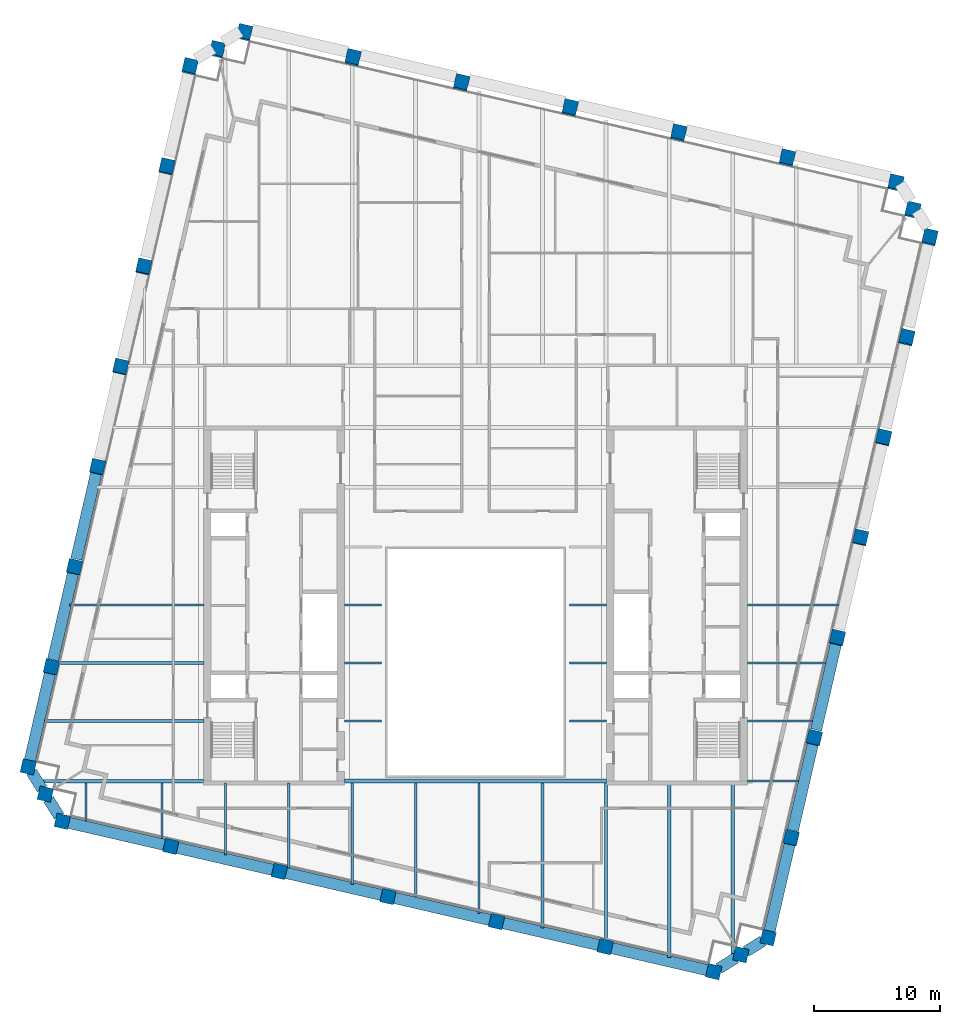
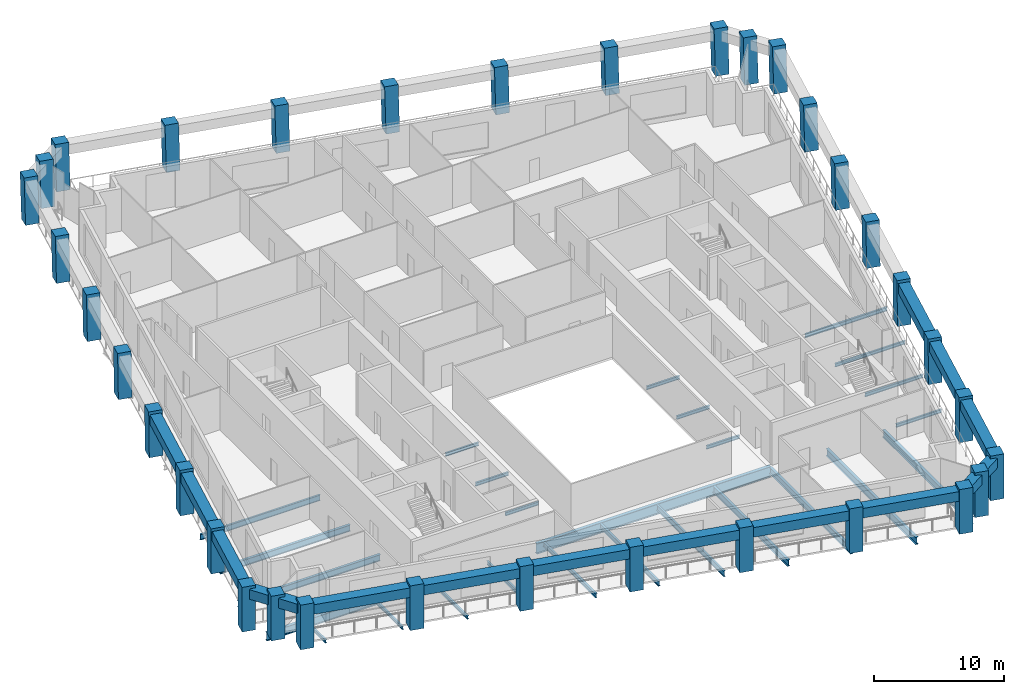
# One storey, part 1 of 10: 42 beams, 34 columns.
"""IFC4 building model written with IfcOpenShell, lengths in metres."""

from ifc_helpers import new_model, si_unit, direction, frame, origin, origin_2d, place, context, subcontext, project, spatial, rectangle, i_section, extrude, material, material_profile, profile_set, type_object, element, save


model = new_model("IFC4")

# Units and contexts
model_context = context("Model", 3, precision=1e-05, world=origin(), true_north=direction((0.0, 1.0)))
body_context = subcontext(model_context, "Body", "Model", "MODEL_VIEW")
ifc_project = project(units=[si_unit("LENGTHUNIT", "METRE"), si_unit("AREAUNIT", "SQUARE_METRE"), si_unit("VOLUMEUNIT", "CUBIC_METRE"), si_unit("PLANEANGLEUNIT", "RADIAN"), si_unit("MASSUNIT", "GRAM", prefix="KILO")], contexts=[model_context])

# Site, building, storey
site_placement = place(None, origin())
site = spatial("IfcSite", under=ifc_project, at=site_placement, CompositionType="ELEMENT")
building_placement = place(site_placement, origin())
building = spatial("IfcBuilding", under=site, at=building_placement, Name="Ogive Exchange Tower", CompositionType="ELEMENT")
storey_placement = place(building_placement, frame((0.0, 0.0, 264.0)))
storey = spatial("IfcBuildingStorey", under=building, at=storey_placement, Name="L57", CompositionType="ELEMENT", Elevation=264.0)

# Columns
ifc_material_1 = material(Name="Precast concrete C70/85 (limestone faced)", Category="masonry")
ifc_material_profile_1 = material_profile(ifc_material_1, rectangle(XDim=1.10009765625, YDim=1.10009765625, at=origin_2d()), Name="1100 x 1100")
ifc_profile_set_1 = profile_set([ifc_material_profile_1], Name="Precast concrete C70/85 (limestone faced)")
column_type = type_object("IfcColumnType", Name="Precast exoskeleton leg 1100 x 1100 C70/85", PredefinedType="COLUMN", material=ifc_profile_set_1)
for number, where, z_axis, x_axis, name in (
    (1, (-32.820556640625, -5.635498046875, 0.0), (0.0, 0.0, 1.0), (0.974370064785, -0.224951054344, 0.0), "Exoskeleton leg 1"),
    (2, (-24.197265625, -7.62646484375, 0.0), (0.0, 0.0, 1.0), (0.974370064785, -0.224951054344, 0.0), "Exoskeleton leg 2"),
    (3, (-15.57421875, -9.6171875, 0.0), (0.0, 0.0, 1.0), (0.974370064785, -0.224951054344, 0.0), "Exoskeleton leg 3"),
    (4, (-6.950927734375, -11.60791015625, 0.0), (0.0, 0.0, 1.0), (0.974370064785, -0.224951054344, 0.0), "Exoskeleton leg 4"),
    (5, (1.672119140625, -13.598876953125, 0.0), (0.0, 0.0, 1.0), (0.974370064785, -0.224951054344, 0.0), "Exoskeleton leg 5"),
    (6, (10.29541015625, -15.589599609375, 0.0), (0.0, 0.0, 1.0), (0.974370064785, -0.224951054344, 0.0), "Exoskeleton leg 6"),
    (7, (18.91845703125, -17.58056640625, 0.0), (0.0, 0.0, 1.0), (0.974370064785, -0.224951054344, 0.0), "Exoskeleton leg 7"),
    (8, (23.236083984375, -14.882568359375, 0.0), (0.0, 0.0, 1.0), (0.974370064785, -0.224951054344, 0.0), "Exoskeleton leg 8"),
):
    element("IfcColumn", number, at=place(storey_placement, frame(where, z_axis=z_axis, x_axis=x_axis)), inside=storey, type_object=column_type, Name=name, PredefinedType="COLUMN", context=body_context, shape_type="SweptSolid", body=[
        extrude(rectangle(XDim=1.10009765625, YDim=1.10009765625, at=origin_2d()), origin(), (0.0, 0.0, 1.0), 4.199951171875),
    ])
column_1_placement = place(storey_placement, frame((25.069580078125, -6.94091796875, 0.0), z_axis=(0.002906224189, 0.012671137464, 0.999915494498), x_axis=(-0.974691740237, 0.22355315143, 0.0)))
element("IfcColumn", 9, at=column_1_placement, inside=storey, type_object=column_type, Name="Exoskeleton leg 9", PredefinedType="COLUMN", context=body_context, shape_type="SweptSolid", body=[
    extrude(rectangle(XDim=1.10009765625, YDim=1.10009765625, at=origin_2d()), origin(), (0.0, 0.0, 1.0), 4.2001953125),
])
column_2_placement = place(storey_placement, frame((26.903076171875, 1.0009765625, 0.0), z_axis=(0.005810983994, 0.025277780376, 0.999663576552), x_axis=(-0.974579651079, 0.224041299099, 0.0)))
element("IfcColumn", 10, at=column_2_placement, inside=storey, type_object=column_type, Name="Exoskeleton leg 10", PredefinedType="COLUMN", context=body_context, shape_type="SweptSolid", body=[
    extrude(rectangle(XDim=1.10009765625, YDim=1.10009765625, at=origin_2d()), origin(), (0.0, 0.0, 1.0), 4.201416015625),
])
column_3_placement = place(storey_placement, frame((28.736572265625, 8.942626953125, 0.0), z_axis=(0.008770884695, 0.037929719907, 0.99924191662), x_axis=(-0.974290512438, 0.225295355862, 0.0)))
element("IfcColumn", 11, at=column_3_placement, inside=storey, type_object=column_type, Name="Exoskeleton leg 11", PredefinedType="COLUMN", context=body_context, shape_type="SweptSolid", body=[
    extrude(rectangle(XDim=1.10009765625, YDim=1.10009765625, at=origin_2d()), origin(), (0.0, 0.0, 1.0), 4.203125),
])
column_4_placement = place(storey_placement, frame((30.570068359375, 16.884521484375, 0.0), z_axis=(0.011668301382, 0.050504588071, 0.998655665045), x_axis=(-0.974334539389, 0.225104876342, 0.0)))
element("IfcColumn", 12, at=column_4_placement, inside=storey, type_object=column_type, Name="Exoskeleton leg 12", PredefinedType="COLUMN", context=body_context, shape_type="SweptSolid", body=[
    extrude(rectangle(XDim=1.10009765625, YDim=1.10009765625, at=origin_2d()), origin(), (0.0, 0.0, 1.0), 4.20556640625),
])
column_5_placement = place(storey_placement, frame((32.403564453125, 24.826171875, 0.0), z_axis=(0.014559841898, 0.063111984005, 0.997900239743), x_axis=(-0.97440628778, 0.224794097641, 0.0)))
element("IfcColumn", 13, at=column_5_placement, inside=storey, type_object=column_type, Name="Exoskeleton leg 13", PredefinedType="COLUMN", context=body_context, shape_type="SweptSolid", body=[
    extrude(rectangle(XDim=1.10009765625, YDim=1.10009765625, at=origin_2d()), origin(), (0.0, 0.0, 1.0), 4.208740234375),
])
column_6_placement = place(storey_placement, frame((34.237060546875, 32.767822265625, 0.0), z_axis=(0.017501948819, 0.075745189095, 0.996973594493), x_axis=(-0.974328337224, 0.225131719848, 0.0)))
element("IfcColumn", 14, at=column_6_placement, inside=storey, type_object=column_type, Name="Exoskeleton leg 14", PredefinedType="COLUMN", context=body_context, shape_type="SweptSolid", body=[
    extrude(rectangle(XDim=1.10009765625, YDim=1.10009765625, at=origin_2d()), origin(), (0.0, 0.0, 1.0), 4.212646484375),
])
for number, where, z_axis, x_axis, name in (
    (15, (36.070556640625, 40.709716796875, 0.0), (0.020377493232, 0.0882252832, 0.995892091129), (-0.97434807649, 0.225046274885, 0.0), "Exoskeleton leg 15"),
    (16, (33.372802734375, 45.027099609375, 0.0), (0.020319522749, 0.088282826757, 0.9958881762), (-0.974520276705, 0.224299421065, 0.0), "Exoskeleton leg 16"),
    (17, (24.74951171875, 47.01806640625, 0.0), (0.020377493232, 0.0882252832, 0.995892091129), (-0.97434807649, 0.225046274885, 0.0), "Exoskeleton leg 17"),
    (18, (16.126220703125, 49.0087890625, 0.0), (0.020377493232, 0.0882252832, 0.995892091129), (-0.97434807649, 0.225046274885, 0.0), "Exoskeleton leg 18"),
    (19, (7.503173828125, 50.999755859375, 0.0), (0.020377597275, 0.088167842757, 0.995897175934), (-0.97431566651, 0.225186549318, 0.0), "Exoskeleton leg 19"),
    (20, (-1.1201171875, 52.990478515625, 0.0), (0.020377493232, 0.0882252832, 0.995892091129), (-0.97434807649, 0.225046274885, 0.0), "Exoskeleton leg 20"),
    (21, (-9.7431640625, 54.981201171875, 0.0), (0.020377493232, 0.0882252832, 0.995892091129), (-0.97434807649, 0.225046274885, 0.0), "Exoskeleton leg 21"),
    (22, (-18.366455078125, 56.97216796875, 0.0), (0.020377493232, 0.0882252832, 0.995892091129), (-0.97434807649, 0.225046274885, 0.0), "Exoskeleton leg 22"),
    (23, (-22.683837890625, 54.274169921875, 0.0), (0.020319626563, 0.088225387128, 0.995893264282), (-0.974488096918, 0.224439187676, 0.0), "Exoskeleton leg 23"),
):
    element("IfcColumn", number, at=place(storey_placement, frame(where, z_axis=z_axis, x_axis=x_axis)), inside=storey, type_object=column_type, Name=name, PredefinedType="COLUMN", context=body_context, shape_type="SweptSolid", body=[
        extrude(rectangle(XDim=1.10009765625, YDim=1.10009765625, at=origin_2d()), origin(), (0.0, 0.0, 1.0), 4.21728515625),
    ])
column_7_placement = place(storey_placement, frame((-24.517333984375, 46.33251953125, 0.0), z_axis=(0.017444089556, 0.075687644385, 0.996978978829), x_axis=(-0.974454034257, 0.224587032398, 0.0)))
element("IfcColumn", 24, at=column_7_placement, inside=storey, type_object=column_type, Name="Exoskeleton leg 24", PredefinedType="COLUMN", context=body_context, shape_type="SweptSolid", body=[
    extrude(rectangle(XDim=1.10009765625, YDim=1.10009765625, at=origin_2d()), origin(), (0.0, 0.0, 1.0), 4.212646484375),
])
column_8_placement = place(storey_placement, frame((-26.350830078125, 38.390625, 0.0), z_axis=(0.014559788571, 0.063169759976, 0.997896584813), x_axis=(-0.97445148511, 0.224598092528, 0.0)))
element("IfcColumn", 25, at=column_8_placement, inside=storey, type_object=column_type, Name="Exoskeleton leg 25", PredefinedType="COLUMN", context=body_context, shape_type="SweptSolid", body=[
    extrude(rectangle(XDim=1.10009765625, YDim=1.10009765625, at=origin_2d()), origin(), (0.0, 0.0, 1.0), 4.208740234375),
])
column_9_placement = place(storey_placement, frame((-28.184326171875, 30.448974609375, 0.0), z_axis=(0.011610223917, 0.050562525159, 0.998653410223), x_axis=(-0.974635787342, 0.223796966095, 0.0)))
element("IfcColumn", 26, at=column_9_placement, inside=storey, type_object=column_type, Name="Exoskeleton leg 26", PredefinedType="COLUMN", context=body_context, shape_type="SweptSolid", body=[
    extrude(rectangle(XDim=1.10009765625, YDim=1.10009765625, at=origin_2d()), origin(), (0.0, 0.0, 1.0), 4.20556640625),
])
column_10_placement = place(storey_placement, frame((-30.017822265625, 22.507080078125, 0.0), z_axis=(0.00871278458, 0.037987740768, 0.999240220836), x_axis=(-0.974691740237, 0.22355315143, 0.0)))
element("IfcColumn", 27, at=column_10_placement, inside=storey, type_object=column_type, Name="Exoskeleton leg 27", PredefinedType="COLUMN", context=body_context, shape_type="SweptSolid", body=[
    extrude(rectangle(XDim=1.10009765625, YDim=1.10009765625, at=origin_2d()), origin(), (0.0, 0.0, 1.0), 4.203125),
])
column_11_placement = place(storey_placement, frame((-31.851318359375, 14.5654296875, 0.0), z_axis=(0.005810975449, 0.025335852957, 0.999662106474), x_axis=(-0.974691740237, 0.22355315143, 0.0)))
element("IfcColumn", 28, at=column_11_placement, inside=storey, type_object=column_type, Name="Exoskeleton leg 28", PredefinedType="COLUMN", context=body_context, shape_type="SweptSolid", body=[
    extrude(rectangle(XDim=1.10009765625, YDim=1.10009765625, at=origin_2d()), origin(), (0.0, 0.0, 1.0), 4.201416015625),
])
column_12_placement = place(storey_placement, frame((-33.684814453125, 6.623779296875, 0.0), z_axis=(0.002906224189, 0.012671137464, 0.999915494498), x_axis=(-0.974691740237, 0.22355315143, 0.0)))
element("IfcColumn", 29, at=column_12_placement, inside=storey, type_object=column_type, Name="Exoskeleton leg 29", PredefinedType="COLUMN", context=body_context, shape_type="SweptSolid", body=[
    extrude(rectangle(XDim=1.10009765625, YDim=1.10009765625, at=origin_2d()), origin(), (0.0, 0.0, 1.0), 4.2001953125),
])
for number, where, z_axis, x_axis, name in (
    (30, (-35.518310546875, -1.318115234375, 0.0), (0.0, 0.0, 1.0), (0.974370064785, -0.224951054344, 0.0), "Exoskeleton leg 30"),
    (31, (21.077392578125, -16.2314453125, 0.0), (0.0, 0.0, 1.0), (0.974370064785, -0.224951054344, 0.0), "Exoskeleton leg 31"),
):
    element("IfcColumn", number, at=place(storey_placement, frame(where, z_axis=z_axis, x_axis=x_axis)), inside=storey, type_object=column_type, Name=name, PredefinedType="COLUMN", context=body_context, shape_type="SweptSolid", body=[
        extrude(rectangle(XDim=1.10009765625, YDim=1.10009765625, at=origin_2d()), origin(), (0.0, 0.0, 1.0), 4.199951171875),
    ])
for number, where, z_axis, x_axis, name in (
    (32, (34.7216796875, 42.868408203125, 0.0), (0.020377493232, 0.0882252832, 0.995892091129), (-0.97434807649, 0.225046274885, 0.0), "Exoskeleton leg 32"),
    (33, (-20.525146484375, 55.623291015625, 0.0), (0.020377597275, 0.088167842757, 0.995897175934), (-0.97431566651, 0.225186549318, 0.0), "Exoskeleton leg 33"),
):
    element("IfcColumn", number, at=place(storey_placement, frame(where, z_axis=z_axis, x_axis=x_axis)), inside=storey, type_object=column_type, Name=name, PredefinedType="COLUMN", context=body_context, shape_type="SweptSolid", body=[
        extrude(rectangle(XDim=1.10009765625, YDim=1.10009765625, at=origin_2d()), origin(), (0.0, 0.0, 1.0), 4.21728515625),
    ])
column_13_placement = place(storey_placement, frame((-34.16943359375, -3.476806640625, 0.0), z_axis=(0.0, 0.0, 1.0), x_axis=(0.974370064785, -0.224951054344, 0.0)))
element("IfcColumn", 34, at=column_13_placement, inside=storey, type_object=column_type, Name="Exoskeleton leg 34", PredefinedType="COLUMN", context=body_context, shape_type="SweptSolid", body=[
    extrude(rectangle(XDim=1.10009765625, YDim=1.10009765625, at=origin_2d()), origin(), (0.0, 0.0, 1.0), 4.199951171875),
])

# Beams
ifc_material_2 = material(Name="Steel ASTM A992 Gr50", Category="steel")
ifc_material_profile_2 = material_profile(ifc_material_2, i_section(OverallWidth=0.1650390625, OverallDepth=0.31005859375, WebThickness=0.005859375, FlangeThickness=0.009765625, at=origin_2d()), Name="W310x38.7")
ifc_profile_set_2 = profile_set([ifc_material_profile_2], Name="Steel ASTM A992 Gr50")
beam_type_1 = type_object("IfcBeamType", Name="Floor beam W310x38.7", PredefinedType="JOIST", material=ifc_profile_set_2)
for number, where, z_axis, x_axis, name in (
    (35, (-10.419921875, 2.3212890625, -0.35498046875), (1.0, 0.0, 0.0), (0.0, 1.0, 0.0), "Floor beam"),
    (36, (7.469970703125, 2.3212890625, -0.35498046875), (1.0, 0.0, 0.0), (0.0, 1.0, 0.0), "Floor beam"),
):
    element("IfcBeam", number, at=place(storey_placement, frame(where, z_axis=z_axis, x_axis=x_axis)), inside=storey, type_object=beam_type_1, Name=name, PredefinedType="JOIST", context=body_context, shape_type="SweptSolid", body=[
        extrude(i_section(OverallWidth=0.1650390625, OverallDepth=0.31005859375, WebThickness=0.005859375, FlangeThickness=0.009765625, at=origin_2d()), origin(), (0.0, 0.0, 1.0), 2.949951171875),
    ])
beam_1_placement = place(storey_placement, frame((21.580078125, 2.3212890625, -0.35498046875), z_axis=(1.0, 0.0, 0.0), x_axis=(0.0, 1.0, 0.0)))
element("IfcBeam", 37, at=beam_1_placement, inside=storey, type_object=beam_type_1, Name="Floor beam", PredefinedType="JOIST", context=body_context, shape_type="SweptSolid", body=[
    extrude(i_section(OverallWidth=0.1650390625, OverallDepth=0.31005859375, WebThickness=0.005859375, FlangeThickness=0.009765625, at=origin_2d()), origin(), (0.0, 0.0, 1.0), 5.166015625),
])
for number, where, z_axis, x_axis, name in (
    (38, (-10.419921875, 6.9326171875, -0.35498046875), (1.0, 0.0, 0.0), (0.0, 1.0, 0.0), "Floor beam"),
    (39, (7.469970703125, 6.9326171875, -0.35498046875), (1.0, 0.0, 0.0), (0.0, 1.0, 0.0), "Floor beam"),
):
    element("IfcBeam", number, at=place(storey_placement, frame(where, z_axis=z_axis, x_axis=x_axis)), inside=storey, type_object=beam_type_1, Name=name, PredefinedType="JOIST", context=body_context, shape_type="SweptSolid", body=[
        extrude(i_section(OverallWidth=0.1650390625, OverallDepth=0.31005859375, WebThickness=0.005859375, FlangeThickness=0.009765625, at=origin_2d()), origin(), (0.0, 0.0, 1.0), 2.949951171875),
    ])
beam_2_placement = place(storey_placement, frame((21.580078125, 6.9326171875, -0.35498046875), z_axis=(1.0, 0.0, 0.0), x_axis=(0.0, 1.0, 0.0)))
element("IfcBeam", 40, at=beam_2_placement, inside=storey, type_object=beam_type_1, Name="Floor beam", PredefinedType="JOIST", context=body_context, shape_type="SweptSolid", body=[
    extrude(i_section(OverallWidth=0.1650390625, OverallDepth=0.31005859375, WebThickness=0.005859375, FlangeThickness=0.009765625, at=origin_2d()), origin(), (0.0, 0.0, 1.0), 6.230712890625),
])
for number, where, z_axis, x_axis, name in (
    (41, (-10.419921875, 11.543701171875, -0.35498046875), (1.0, 0.0, 0.0), (0.0, 1.0, 0.0), "Floor beam"),
    (42, (7.469970703125, 11.543701171875, -0.35498046875), (1.0, 0.0, 0.0), (0.0, 1.0, 0.0), "Floor beam"),
):
    element("IfcBeam", number, at=place(storey_placement, frame(where, z_axis=z_axis, x_axis=x_axis)), inside=storey, type_object=beam_type_1, Name=name, PredefinedType="JOIST", context=body_context, shape_type="SweptSolid", body=[
        extrude(i_section(OverallWidth=0.1650390625, OverallDepth=0.31005859375, WebThickness=0.005859375, FlangeThickness=0.009765625, at=origin_2d()), origin(), (0.0, 0.0, 1.0), 2.949951171875),
    ])
beam_3_placement = place(storey_placement, frame((-30.9423828125, -5.607421875, -0.35498046875), z_axis=(0.0, 1.0, 0.0), x_axis=(-1.0, 0.0, 0.0)))
element("IfcBeam", 43, at=beam_3_placement, inside=storey, type_object=beam_type_1, Name="Floor beam", PredefinedType="JOIST", context=body_context, shape_type="SweptSolid", body=[
    extrude(i_section(OverallWidth=0.1650390625, OverallDepth=0.31005859375, WebThickness=0.005859375, FlangeThickness=0.009765625, at=origin_2d()), origin(), (0.0, 0.0, 1.0), 3.02880859375),
])
beam_4_placement = place(storey_placement, frame((-24.906005859375, -7.0009765625, -0.35498046875), z_axis=(0.0, 1.0, 0.0), x_axis=(-1.0, 0.0, 0.0)))
element("IfcBeam", 44, at=beam_4_placement, inside=storey, type_object=beam_type_1, Name="Floor beam", PredefinedType="JOIST", context=body_context, shape_type="SweptSolid", body=[
    extrude(i_section(OverallWidth=0.1650390625, OverallDepth=0.31005859375, WebThickness=0.005859375, FlangeThickness=0.009765625, at=origin_2d()), origin(), (0.0, 0.0, 1.0), 4.42236328125),
])
beam_5_placement = place(storey_placement, frame((-19.869384765625, -8.313720703125, -0.35498046875), z_axis=(0.0, 1.0, 0.0), x_axis=(-1.0, 0.0, 0.0)))
element("IfcBeam", 45, at=beam_5_placement, inside=storey, type_object=beam_type_1, Name="Floor beam", PredefinedType="JOIST", context=body_context, shape_type="SweptSolid", body=[
    extrude(i_section(OverallWidth=0.1650390625, OverallDepth=0.31005859375, WebThickness=0.005859375, FlangeThickness=0.009765625, at=origin_2d()), origin(), (0.0, 0.0, 1.0), 5.713623046875),
])
ifc_material_profile_3 = material_profile(ifc_material_2, i_section(OverallWidth=0.1708984375, OverallDepth=0.35595703125, WebThickness=0.00732421875, FlangeThickness=0.01171875, at=origin_2d()), Name="W360x51")
ifc_profile_set_3 = profile_set([ifc_material_profile_3], Name="Steel ASTM A992 Gr50")
beam_type_2 = type_object("IfcBeamType", Name="Floor beam W360x51", PredefinedType="JOIST", material=ifc_profile_set_3)
beam_6_placement = place(storey_placement, frame((21.580078125, 11.543701171875, -0.3779296875), z_axis=(1.0, 0.0, 0.0), x_axis=(0.0, 1.0, 0.0)))
element("IfcBeam", 46, at=beam_6_placement, inside=storey, type_object=beam_type_2, Name="Floor beam", PredefinedType="JOIST", context=body_context, shape_type="SweptSolid", body=[
    extrude(i_section(OverallWidth=0.1708984375, OverallDepth=0.35595703125, WebThickness=0.00732421875, FlangeThickness=0.01171875, at=origin_2d()), origin(), (0.0, 0.0, 1.0), 7.295166015625),
])
beam_7_placement = place(storey_placement, frame((-14.8330078125, -9.326416015625, -0.3779296875), z_axis=(0.0, 1.0, 0.0), x_axis=(-1.0, 0.0, 0.0)))
element("IfcBeam", 47, at=beam_7_placement, inside=storey, type_object=beam_type_2, Name="Floor beam", PredefinedType="JOIST", context=body_context, shape_type="SweptSolid", body=[
    extrude(i_section(OverallWidth=0.1708984375, OverallDepth=0.35595703125, WebThickness=0.00732421875, FlangeThickness=0.01171875, at=origin_2d()), origin(), (0.0, 0.0, 1.0), 6.726318359375),
])
ifc_material_profile_4 = material_profile(ifc_material_2, i_section(OverallWidth=0.177978515625, OverallDepth=0.406005859375, WebThickness=0.0078125, FlangeThickness=0.0126953125, at=origin_2d()), Name="W410x60")
ifc_profile_set_4 = profile_set([ifc_material_profile_4], Name="Steel ASTM A992 Gr50")
beam_type_3 = type_object("IfcBeamType", Name="Floor beam W410x60", PredefinedType="JOIST", material=ifc_profile_set_4)
beam_8_placement = place(storey_placement, frame((-9.796630859375, -10.63916015625, -0.403076171875), z_axis=(0.0, 1.0, 0.0), x_axis=(-1.0, 0.0, 0.0)))
element("IfcBeam", 48, at=beam_8_placement, inside=storey, type_object=beam_type_3, Name="Floor beam", PredefinedType="JOIST", context=body_context, shape_type="SweptSolid", body=[
    extrude(i_section(OverallWidth=0.177978515625, OverallDepth=0.406005859375, WebThickness=0.0078125, FlangeThickness=0.0126953125, at=origin_2d()), origin(), (0.0, 0.0, 1.0), 8.044189453125),
])
ifc_material_profile_5 = material_profile(ifc_material_2, i_section(OverallWidth=0.19091796875, OverallDepth=0.45703125, WebThickness=0.009033203125, FlangeThickness=0.014404296875, at=origin_2d()), Name="W460x74")
ifc_profile_set_5 = profile_set([ifc_material_profile_5], Name="Steel ASTM A992 Gr50")
beam_type_4 = type_object("IfcBeamType", Name="Floor beam W460x74", PredefinedType="JOIST", material=ifc_profile_set_5)
beam_9_placement = place(storey_placement, frame((-4.76025390625, -11.652099609375, -0.428466796875), z_axis=(0.0, 1.0, 0.0), x_axis=(-1.0, 0.0, 0.0)))
element("IfcBeam", 49, at=beam_9_placement, inside=storey, type_object=beam_type_4, Name="Floor beam", PredefinedType="JOIST", context=body_context, shape_type="SweptSolid", body=[
    extrude(i_section(OverallWidth=0.19091796875, OverallDepth=0.45703125, WebThickness=0.009033203125, FlangeThickness=0.014404296875, at=origin_2d()), origin(), (0.0, 0.0, 1.0), 9.05712890625),
])
ifc_material_profile_6 = material_profile(ifc_material_2, i_section(OverallWidth=0.1669921875, OverallDepth=0.535888671875, WebThickness=0.01025390625, FlangeThickness=0.0166015625, at=origin_2d()), Name="W530x85")
ifc_profile_set_6 = profile_set([ifc_material_profile_6], Name="Steel ASTM A992 Gr50")
beam_type_5 = type_object("IfcBeamType", Name="Floor beam W530x85", PredefinedType="JOIST", material=ifc_profile_set_6)
beam_10_placement = place(storey_placement, frame((-32.2373046875, 11.543701171875, -0.468017578125), z_axis=(1.0, 0.0, 0.0), x_axis=(0.0, 1.0, 0.0)))
element("IfcBeam", 50, at=beam_10_placement, inside=storey, type_object=beam_type_5, Name="Floor beam", PredefinedType="JOIST", context=body_context, shape_type="SweptSolid", body=[
    extrude(i_section(OverallWidth=0.1669921875, OverallDepth=0.535888671875, WebThickness=0.01025390625, FlangeThickness=0.0166015625, at=origin_2d()), origin(), (0.0, 0.0, 1.0), 10.6572265625),
])
beam_11_placement = place(storey_placement, frame((0.276123046875, -12.964599609375, -0.468017578125), z_axis=(0.0, 1.0, 0.0), x_axis=(-1.0, 0.0, 0.0)))
element("IfcBeam", 51, at=beam_11_placement, inside=storey, type_object=beam_type_5, Name="Floor beam", PredefinedType="JOIST", context=body_context, shape_type="SweptSolid", body=[
    extrude(i_section(OverallWidth=0.1669921875, OverallDepth=0.535888671875, WebThickness=0.01025390625, FlangeThickness=0.0166015625, at=origin_2d()), origin(), (0.0, 0.0, 1.0), 10.36962890625),
])
ifc_material_profile_7 = material_profile(ifc_material_2, i_section(OverallWidth=0.22802734375, OverallDepth=0.60205078125, WebThickness=0.010498046875, FlangeThickness=0.014892578125, at=origin_2d()), Name="W610x101")
ifc_profile_set_7 = profile_set([ifc_material_profile_7], Name="Steel ASTM A992 Gr50")
beam_type_6 = type_object("IfcBeamType", Name="Floor beam W610x101", PredefinedType="JOIST", material=ifc_profile_set_7)
beam_12_placement = place(storey_placement, frame((-34.21630859375, 2.3212890625, -0.5009765625), z_axis=(1.0, 0.0, 0.0), x_axis=(0.0, 1.0, 0.0)))
element("IfcBeam", 52, at=beam_12_placement, inside=storey, type_object=beam_type_6, Name="Floor beam", PredefinedType="JOIST", context=body_context, shape_type="SweptSolid", body=[
    extrude(i_section(OverallWidth=0.22802734375, OverallDepth=0.60205078125, WebThickness=0.010498046875, FlangeThickness=0.014892578125, at=origin_2d()), origin(), (0.0, 0.0, 1.0), 12.63623046875),
])
beam_13_placement = place(storey_placement, frame((-33.15185546875, 6.9326171875, -0.5009765625), z_axis=(1.0, 0.0, 0.0), x_axis=(0.0, 1.0, 0.0)))
element("IfcBeam", 53, at=beam_13_placement, inside=storey, type_object=beam_type_6, Name="Floor beam", PredefinedType="JOIST", context=body_context, shape_type="SweptSolid", body=[
    extrude(i_section(OverallWidth=0.22802734375, OverallDepth=0.60205078125, WebThickness=0.010498046875, FlangeThickness=0.014892578125, at=origin_2d()), origin(), (0.0, 0.0, 1.0), 11.57177734375),
])
beam_14_placement = place(storey_placement, frame((5.3125, -14.12744140625, -0.5009765625), z_axis=(0.0, 1.0, 0.0), x_axis=(-1.0, 0.0, 0.0)))
element("IfcBeam", 54, at=beam_14_placement, inside=storey, type_object=beam_type_6, Name="Floor beam", PredefinedType="JOIST", context=body_context, shape_type="SweptSolid", body=[
    extrude(i_section(OverallWidth=0.22802734375, OverallDepth=0.60205078125, WebThickness=0.010498046875, FlangeThickness=0.014892578125, at=origin_2d()), origin(), (0.0, 0.0, 1.0), 11.532470703125),
])
beam_15_placement = place(storey_placement, frame((10.348876953125, -15.14013671875, -0.5009765625), z_axis=(0.0, 1.0, 0.0), x_axis=(-1.0, 0.0, 0.0)))
element("IfcBeam", 55, at=beam_15_placement, inside=storey, type_object=beam_type_6, Name="Floor beam", PredefinedType="JOIST", context=body_context, shape_type="SweptSolid", body=[
    extrude(i_section(OverallWidth=0.22802734375, OverallDepth=0.60205078125, WebThickness=0.010498046875, FlangeThickness=0.014892578125, at=origin_2d()), origin(), (0.0, 0.0, 1.0), 12.545166015625),
])
ifc_material_profile_8 = material_profile(ifc_material_2, i_section(OverallWidth=0.25390625, OverallDepth=0.677978515625, WebThickness=0.01171875, FlangeThickness=0.016357421875, at=origin_2d()), Name="W690x125")
ifc_profile_set_8 = profile_set([ifc_material_profile_8], Name="Steel ASTM A992 Gr50")
beam_type_7 = type_object("IfcBeamType", Name="Floor beam W690x125", PredefinedType="JOIST", material=ifc_profile_set_8)
beam_16_placement = place(storey_placement, frame((15.38525390625, -16.452880859375, -0.5390625), z_axis=(0.0, 1.0, 0.0), x_axis=(-1.0, 0.0, 0.0)))
element("IfcBeam", 56, at=beam_16_placement, inside=storey, type_object=beam_type_7, Name="Floor beam", PredefinedType="JOIST", context=body_context, shape_type="SweptSolid", body=[
    extrude(i_section(OverallWidth=0.25390625, OverallDepth=0.677978515625, WebThickness=0.01171875, FlangeThickness=0.016357421875, at=origin_2d()), origin(), (0.0, 0.0, 1.0), 13.852783203125),
])
beam_17_placement = place(storey_placement, frame((20.421630859375, -16.260498046875, -0.5390625), z_axis=(0.0, 1.0, 0.0), x_axis=(-1.0, 0.0, 0.0)))
element("IfcBeam", 57, at=beam_17_placement, inside=storey, type_object=beam_type_7, Name="Floor beam", PredefinedType="JOIST", context=body_context, shape_type="SweptSolid", body=[
    extrude(i_section(OverallWidth=0.25390625, OverallDepth=0.677978515625, WebThickness=0.01171875, FlangeThickness=0.016357421875, at=origin_2d()), origin(), (0.0, 0.0, 1.0), 13.660400390625),
])
ifc_material_profile_9 = material_profile(ifc_material_2, i_section(OverallWidth=0.300048828125, OverallDepth=0.97998046875, WebThickness=0.0166015625, FlangeThickness=0.026123046875, at=origin_2d()), Name="W1000x249")
ifc_profile_set_9 = profile_set([ifc_material_profile_9], Name="Steel ASTM A992 Gr50")
beam_type_8 = type_object("IfcBeamType", Name="Girder W1000x249", PredefinedType="BEAM", material=ifc_profile_set_9)
beam_18_placement = place(storey_placement, frame((-10.419921875, -2.445068359375, -0.68994140625), z_axis=(1.0, 0.0, 0.0), x_axis=(0.0, 1.0, 0.0)))
element("IfcBeam", 58, at=beam_18_placement, inside=storey, type_object=beam_type_8, Name="Header girder", PredefinedType="BEAM", context=body_context, shape_type="SweptSolid", body=[
    extrude(i_section(OverallWidth=0.300048828125, OverallDepth=0.97998046875, WebThickness=0.0166015625, FlangeThickness=0.026123046875, at=origin_2d()), origin(), (0.0, 0.0, 1.0), 20.83984375),
])
ifc_material_profile_10 = material_profile(ifc_material_2, i_section(OverallWidth=0.1650390625, OverallDepth=0.31005859375, WebThickness=0.005859375, FlangeThickness=0.009765625, at=origin_2d()), Name="W310x38.7")
ifc_profile_set_10 = profile_set([ifc_material_profile_10], Name="Steel ASTM A992 Gr50")
beam_type_9 = type_object("IfcBeamType", Name="Girder W310x38.7", PredefinedType="BEAM", material=ifc_profile_set_10)
beam_19_placement = place(storey_placement, frame((21.580078125, -2.445068359375, -0.35498046875), z_axis=(1.0, 0.0, 0.0), x_axis=(0.0, 1.0, 0.0)))
element("IfcBeam", 59, at=beam_19_placement, inside=storey, type_object=beam_type_9, Name="Header girder", PredefinedType="BEAM", context=body_context, shape_type="SweptSolid", body=[
    extrude(i_section(OverallWidth=0.1650390625, OverallDepth=0.31005859375, WebThickness=0.005859375, FlangeThickness=0.009765625, at=origin_2d()), origin(), (0.0, 0.0, 1.0), 4.065673828125),
])
ifc_material_profile_11 = material_profile(ifc_material_2, i_section(OverallWidth=0.26708984375, OverallDepth=0.75390625, WebThickness=0.01318359375, FlangeThickness=0.01708984375, at=origin_2d()), Name="W760x147")
ifc_profile_set_11 = profile_set([ifc_material_profile_11], Name="Steel ASTM A992 Gr50")
beam_type_10 = type_object("IfcBeamType", Name="Girder W760x147", PredefinedType="BEAM", material=ifc_profile_set_11)
beam_20_placement = place(storey_placement, frame((-34.43359375, -2.445068359375, -0.576904296875), z_axis=(1.0, 0.0, 0.0), x_axis=(0.0, 1.0, 0.0)))
element("IfcBeam", 60, at=beam_20_placement, inside=storey, type_object=beam_type_10, Name="Header girder", PredefinedType="BEAM", context=body_context, shape_type="SweptSolid", body=[
    extrude(i_section(OverallWidth=0.26708984375, OverallDepth=0.75390625, WebThickness=0.01318359375, FlangeThickness=0.01708984375, at=origin_2d()), origin(), (0.0, 0.0, 1.0), 12.853515625),
])
ifc_material_profile_12 = material_profile(ifc_material_1, rectangle(XDim=0.89990234375, YDim=0.89990234375, at=origin_2d()), Name="900 x 900")
ifc_profile_set_12 = profile_set([ifc_material_profile_12], Name="Precast concrete C70/85 (limestone faced)")
beam_type_11 = type_object("IfcBeamType", Name="Precast spandrel 900 x 900 C70/85", PredefinedType="SPANDREL", material=ifc_profile_set_12)
for number, where, z_axis, x_axis, name in (
    (61, (-32.30419921875, -5.7548828125, 3.5), (0.974374818602, -0.224930462307, 0.0), (0.224930462307, 0.974374818602, 0.0), "Spandrel 1"),
    (62, (-23.680908203125, -7.74560546875, 3.5), (0.974367949416, -0.224960216819, 0.0), (0.224960216819, 0.974367949416, 0.0), "Spandrel 2"),
    (63, (-15.0576171875, -9.736328125, 3.5), (0.974367949416, -0.224960216819, 0.0), (0.224960216819, 0.974367949416, 0.0), "Spandrel 3"),
    (64, (-6.4345703125, -11.727294921875, 3.5), (0.974374818602, -0.224930462307, 0.0), (0.224930462307, 0.974374818602, 0.0), "Spandrel 4"),
):
    element("IfcBeam", number, at=place(storey_placement, frame(where, z_axis=z_axis, x_axis=x_axis)), inside=storey, type_object=beam_type_11, Name=name, PredefinedType="SPANDREL", context=body_context, shape_type="SweptSolid", body=[
        extrude(rectangle(XDim=0.89990234375, YDim=0.89990234375, at=origin_2d()), origin(), (0.0, 0.0, 1.0), 7.7900390625),
    ])
beam_21_placement = place(storey_placement, frame((2.188720703125, -13.718017578125, 3.5), z_axis=(0.974366363305, -0.224967086616, 0.0), x_axis=(0.224967086616, 0.974366363305, 0.0)))
element("IfcBeam", 65, at=beam_21_placement, inside=storey, type_object=beam_type_11, Name="Spandrel 5", PredefinedType="SPANDREL", context=body_context, shape_type="SweptSolid", body=[
    extrude(rectangle(XDim=0.89990234375, YDim=0.89990234375, at=origin_2d()), origin(), (0.0, 0.0, 1.0), 7.789794921875),
])
beam_22_placement = place(storey_placement, frame((10.811767578125, -15.708984375, 3.5), z_axis=(0.974374818602, -0.224930462307, 0.0), x_axis=(0.224930462307, 0.974374818602, 0.0)))
element("IfcBeam", 66, at=beam_22_placement, inside=storey, type_object=beam_type_11, Name="Spandrel 6", PredefinedType="SPANDREL", context=body_context, shape_type="SweptSolid", body=[
    extrude(rectangle(XDim=0.89990234375, YDim=0.89990234375, at=origin_2d()), origin(), (0.0, 0.0, 1.0), 7.7900390625),
])
for number, where, z_axis, x_axis, name in (
    (67, (19.32373046875, -17.327392578125, 3.5), (0.84798967817, 0.53001274109, 0.0), (-0.53001274109, 0.84798967817, 0.0), "Spandrel 7"),
    (68, (21.482421875, -15.978271484375, 3.5), (0.848058683477, 0.529902320601, 0.0), (-0.529902320601, 0.848058683477, 0.0), "Spandrel 8"),
):
    element("IfcBeam", number, at=place(storey_placement, frame(where, z_axis=z_axis, x_axis=x_axis)), inside=storey, type_object=beam_type_11, Name=name, PredefinedType="SPANDREL", context=body_context, shape_type="SweptSolid", body=[
        extrude(rectangle(XDim=0.89990234375, YDim=0.89990234375, at=origin_2d()), origin(), (0.0, 0.0, 1.0), 1.590087890625),
    ])
for number, where, z_axis, x_axis, name in (
    (69, (23.355224609375, -14.3662109375, 3.5), (0.22496181737, 0.974367579882, 0.0), (-0.974367579882, 0.22496181737, 0.0), "Spandrel 9"),
    (70, (25.201171875, -6.371337890625, 3.5), (0.224929378207, 0.974375068862, 0.0), (-0.974375068862, 0.224929378207, 0.0), "Spandrel 10"),
    (71, (27.046875, 1.62353515625, 3.5), (0.22496181737, 0.974367579882, 0.0), (-0.974367579882, 0.22496181737, 0.0), "Spandrel 11"),
):
    element("IfcBeam", number, at=place(storey_placement, frame(where, z_axis=z_axis, x_axis=x_axis)), inside=storey, type_object=beam_type_11, Name=name, PredefinedType="SPANDREL", context=body_context, shape_type="SweptSolid", body=[
        extrude(rectangle(XDim=0.89990234375, YDim=0.89990234375, at=origin_2d()), origin(), (0.0, 0.0, 1.0), 7.145263671875),
    ])
for number, where, z_axis, x_axis, name in (
    (72, (-30.100341796875, 22.150146484375, 3.5), (-0.224969307075, -0.97436585063, 0.0), (0.97436585063, -0.224969307075, 0.0), "Spandrel 30"),
    (73, (-31.946044921875, 14.1552734375, 3.5), (-0.224969307075, -0.97436585063, 0.0), (0.97436585063, -0.224969307075, 0.0), "Spandrel 31"),
    (74, (-33.7919921875, 6.160400390625, 3.5), (-0.224936866947, -0.974373340095, 0.0), (0.974373340095, -0.224936866947, 0.0), "Spandrel 32"),
):
    element("IfcBeam", number, at=place(storey_placement, frame(where, z_axis=z_axis, x_axis=x_axis)), inside=storey, type_object=beam_type_11, Name=name, PredefinedType="SPANDREL", context=body_context, shape_type="SweptSolid", body=[
        extrude(rectangle(XDim=0.89990234375, YDim=0.89990234375, at=origin_2d()), origin(), (0.0, 0.0, 1.0), 7.14501953125),
    ])
for number, where, z_axis, x_axis, name in (
    (75, (-35.26513671875, -1.72314453125, 3.5), (0.529902320601, -0.848058683477, 0.0), (0.848058683477, 0.529902320601, 0.0), "Spandrel 33"),
    (76, (-33.916259765625, -3.882080078125, 3.5), (0.529902320601, -0.848058683477, 0.0), (0.848058683477, 0.529902320601, 0.0), "Spandrel 34"),
):
    element("IfcBeam", number, at=place(storey_placement, frame(where, z_axis=z_axis, x_axis=x_axis)), inside=storey, type_object=beam_type_11, Name=name, PredefinedType="SPANDREL", context=body_context, shape_type="SweptSolid", body=[
        extrude(rectangle(XDim=0.89990234375, YDim=0.89990234375, at=origin_2d()), origin(), (0.0, 0.0, 1.0), 1.590087890625),
    ])

save(model, "model.ifc")
